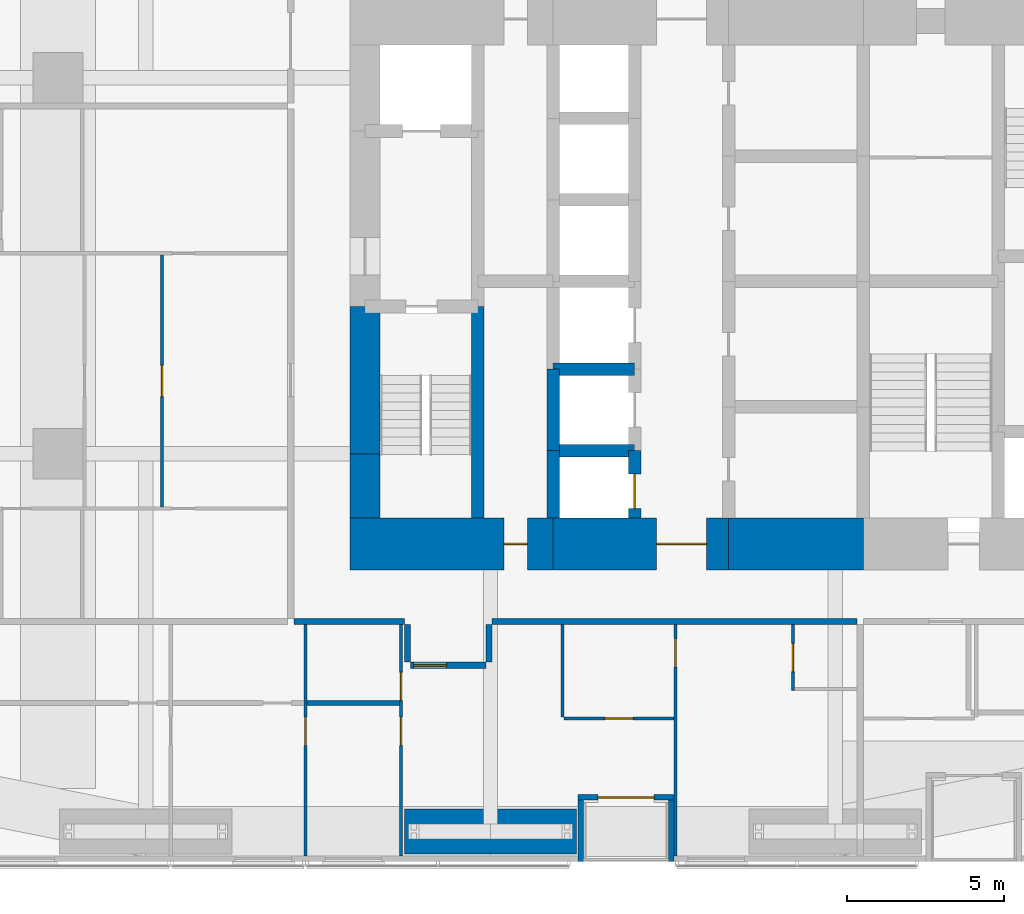
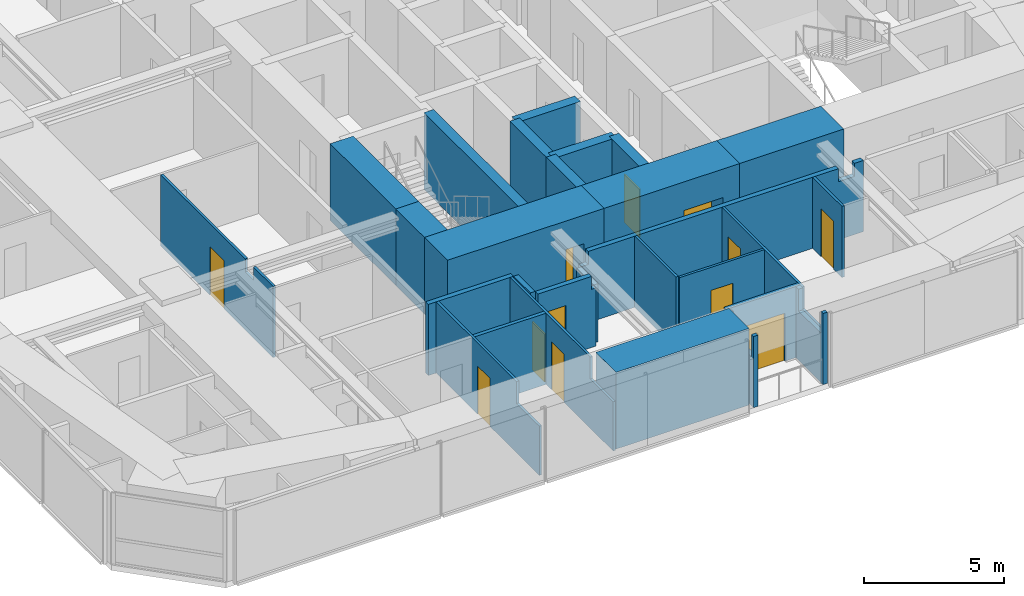
# One storey, part 18 of 24: 28 walls, 12 doors, 12 openings.
"""IFC4 building model written with IfcOpenShell, lengths in metres."""

import ifcopenshell
import ifcopenshell.guid

model = None  # the IFC model being written
_history = None  # IfcOwnerHistory: only IFC2X3 demands one
_inside = {}  # id of a spatial element -> (the spatial element, [elements in it])
_under = {}  # id of a project, library or spatial element -> (it, [spatial elements below it])
_declared = {}  # id of a project -> (the project, [libraries it declares])
_typed = {}  # id of a type object -> (the type object, [elements of that type])
_made_of = {}  # id of a material, layer set ... -> (it, [elements and type objects made of it])


def new_model(schema):
    """Start an empty IFC model of exactly this schema.

    Asked for "IFC4X3", IfcOpenShell would pick the latest addendum, in which some entities
    have other attributes; the version numbers below select the first issue.
    IFC2X3 requires an IfcOwnerHistory on every rooted entity: one is made here for all.
    """
    global model, _history
    if schema == "IFC4X3":
        model = ifcopenshell.file(schema_version=(4, 3, 0, 0))
    else:
        model = ifcopenshell.file(schema=schema)
    _inside.clear()
    _under.clear()
    _declared.clear()
    _typed.clear()
    _made_of.clear()
    _history = None
    if model.schema == "IFC2X3":
        org = make("IfcOrganization", Name="unknown")
        user = make(
            "IfcPersonAndOrganization",
            ThePerson=make("IfcPerson", FamilyName="unknown"),
            TheOrganization=org,
        )
        app = make(
            "IfcApplication",
            ApplicationDeveloper=org,
            Version="unknown",
            ApplicationFullName="unknown",
            ApplicationIdentifier="unknown",
        )
        _history = make(
            "IfcOwnerHistory",
            OwningUser=user,
            OwningApplication=app,
            ChangeAction="ADDED",
            CreationDate=0,
        )
    return model


def make(cls, **values):
    """One entity of the class cls with the attributes given. An attribute that is None is left unset."""
    return model.create_entity(
        cls, **{name: value for name, value in values.items() if value is not None}
    )


def rooted(cls, **values):
    """An entity with a GlobalId (a new one), such as an element, a storey or a relation."""
    return make(cls, GlobalId=ifcopenshell.guid.new(), OwnerHistory=_history, **values)


def si_unit(unit_type, name, prefix=None):
    """IfcSIUnit, for example si_unit("LENGTHUNIT", "METRE", prefix="MILLI")."""
    return make("IfcSIUnit", UnitType=unit_type, Prefix=prefix, Name=name)


def assignment(units):
    """IfcUnitAssignment: the units of a project."""
    return None if units is None else make("IfcUnitAssignment", Units=units)


def point(xyz):
    """IfcCartesianPoint."""
    return None if xyz is None else make("IfcCartesianPoint", Coordinates=xyz)


def direction(xyz):
    """IfcDirection."""
    return None if xyz is None else make("IfcDirection", DirectionRatios=xyz)


def frame(location, z_axis=None, x_axis=None):
    """IfcAxis2Placement3D, a coordinate frame: its origin and axes. An axis left out is left unset."""
    return make(
        "IfcAxis2Placement3D",
        Location=point(location),
        Axis=direction(z_axis),
        RefDirection=direction(x_axis),
    )


def frame_2d(location, x_axis=None):
    """IfcAxis2Placement2D, a coordinate frame in the plane: its origin and x axis."""
    return make(
        "IfcAxis2Placement2D", Location=point(location), RefDirection=direction(x_axis)
    )


def origin():
    """The frame at (0, 0, 0) with its axes left unset."""
    return frame((0.0, 0.0, 0.0))


def place(relative_to, where):
    """IfcLocalPlacement: puts the frame where relative to a parent placement (None: the world)."""
    return make(
        "IfcLocalPlacement", PlacementRelTo=relative_to, RelativePlacement=where
    )


def context(
    kind, dimensions, precision=None, world=None, true_north=None, identifier=None
):
    """IfcGeometricRepresentationContext, for example the 3D "Model" context."""
    return make(
        "IfcGeometricRepresentationContext",
        ContextIdentifier=identifier,
        ContextType=kind,
        CoordinateSpaceDimension=dimensions,
        Precision=precision,
        WorldCoordinateSystem=world,
        TrueNorth=true_north,
    )


def subcontext(parent, identifier, kind, view, scale=None):
    """IfcGeometricRepresentationSubContext, for example "Body" below "Model"."""
    return make(
        "IfcGeometricRepresentationSubContext",
        ContextIdentifier=identifier,
        ContextType=kind,
        ParentContext=parent,
        TargetScale=scale,
        TargetView=view,
    )


def project(units=None, contexts=None):
    """IfcProject with its units and contexts."""
    return rooted(
        "IfcProject",
        Name="project",
        RepresentationContexts=contexts,
        UnitsInContext=assignment(units),
    )


def spatial(cls, under=None, at=None, **own):
    """A site, building, storey or space (cls), placed at a placement, below another one or the project."""
    s = rooted(cls, ObjectPlacement=at, **own)
    if under is not None:
        _under.setdefault(under.id(), (under, []))[1].append(s)
    return s


def polyline(points):
    """IfcPolyline through the points."""
    return make("IfcPolyline", Points=[point(p) for p in points])


def profile(cls, at=None, kind="AREA", **sizes):
    """A parametric profile (cls). Its sizes go by their IFC names, for example OverallWidth=200.0."""
    return make(cls, ProfileType=kind, Position=at, **sizes)


def rectangle(**sizes):
    """IfcRectangleProfileDef."""
    return profile("IfcRectangleProfileDef", **sizes)


def outline(outer, holes=None, kind="AREA"):
    """IfcArbitraryClosedProfileDef: a profile drawn as a closed curve; with holes, ...WithVoids."""
    if holes is None:
        return make("IfcArbitraryClosedProfileDef", ProfileType=kind, OuterCurve=outer)
    return make(
        "IfcArbitraryProfileDefWithVoids",
        ProfileType=kind,
        OuterCurve=outer,
        InnerCurves=holes,
    )


def extrude(swept, where, along, depth):
    """IfcExtrudedAreaSolid: the profile swept, set in the frame where, extruded along a direction by depth."""
    return make(
        "IfcExtrudedAreaSolid",
        SweptArea=swept,
        Position=where,
        ExtrudedDirection=direction(along),
        Depth=depth,
    )


def shape(context_of_items, identifier, shape_type, items):
    """IfcShapeRepresentation: the items that make up one representation, for example the "Body"."""
    return make(
        "IfcShapeRepresentation",
        ContextOfItems=context_of_items,
        RepresentationIdentifier=identifier,
        RepresentationType=shape_type,
        Items=items,
    )


def material(Name=None, Category=None):
    """IfcMaterial."""
    return make("IfcMaterial", Name=Name, Category=Category)


def layer(
    of_material, thickness, ventilated=None, Name=None, Category=None, Priority=None
):
    """IfcMaterialLayer: one layer of a wall or slab, of a material (None: an air gap)."""
    return make(
        "IfcMaterialLayer",
        Material=of_material,
        LayerThickness=thickness,
        IsVentilated=ventilated,
        Name=Name,
        Category=Category,
        Priority=Priority,
    )


def layer_set(layers, Name=None):
    """IfcMaterialLayerSet."""
    return make("IfcMaterialLayerSet", MaterialLayers=layers, LayerSetName=Name)


def constituent(of_material, Name=None, Category=None, fraction=None):
    """IfcMaterialConstituent: one of the materials an element consists of."""
    return make(
        "IfcMaterialConstituent",
        Name=Name,
        Material=of_material,
        Fraction=fraction,
        Category=Category,
    )


def constituent_set(constituents=None, Name=None):
    """IfcMaterialConstituentSet."""
    return make(
        "IfcMaterialConstituentSet", Name=Name, MaterialConstituents=constituents
    )


def made_of(thing, what):
    """Note that an element or type object is made of a material, layer set ...; save() writes the relation."""
    if what is not None:
        _made_of.setdefault(what.id(), (what, []))[1].append(thing)
    return thing


def type_object(cls, material=None, **own):
    """A type object (cls), such as IfcWallType, which elements share."""
    return made_of(rooted(cls, **own), material)


def element(
    cls,
    number,
    at=None,
    inside=None,
    cuts=None,
    type_object=None,
    material=None,
    context=None,
    identifier="Body",
    shape_type=None,
    held_by="IfcProductDefinitionShape",
    body=None,
    shapes=None,
    **own,
):
    """One element of the class cls, such as IfcWall. Its Tag is "e" and its number.

    at: its placement. inside: the storey or other place that contains it. cuts: it is an
    opening in that element (IfcRelVoidsElement). A single representation is given by context,
    identifier, shape_type and body (its items); several are given by shapes. held_by: the class
    of the entity that holds the representations. save() writes the other relations.
    """
    e = rooted(cls, Tag="e%d" % number, ObjectPlacement=at, **own)
    if body is not None:
        shapes = [shape(context, identifier, shape_type, body)]
    if shapes is not None:
        e.Representation = make(held_by, Representations=shapes)
    if inside is not None:
        _inside.setdefault(inside.id(), (inside, []))[1].append(e)
    if cuts is not None:
        rooted(
            "IfcRelVoidsElement", RelatingBuildingElement=cuts, RelatedOpeningElement=e
        )
    if type_object is not None:
        _typed.setdefault(type_object.id(), (type_object, []))[1].append(e)
    return made_of(e, material)


def fill(opening, filler):
    """IfcRelFillsElement: the door or window that sits in an opening."""
    return rooted(
        "IfcRelFillsElement",
        RelatingOpeningElement=opening,
        RelatedBuildingElement=filler,
    )


def aggregate(whole, parts):
    """IfcRelAggregates: a whole, such as a stair, and the parts it consists of."""
    return rooted("IfcRelAggregates", RelatingObject=whole, RelatedObjects=parts)


def save(model, path):
    """Write the relations noted so far, then the file.

    IfcRelAggregates (storeys below a building ...), IfcRelContainedInSpatialStructure (elements
    in a storey), IfcRelDefinesByType, IfcRelAssociatesMaterial and IfcRelDeclares: one each for
    every whole, place, type object, material and project.
    """
    for whole, parts in _under.values():
        aggregate(whole, parts)
    for where, things in _inside.values():
        rooted(
            "IfcRelContainedInSpatialStructure",
            RelatedElements=things,
            RelatingStructure=where,
        )
    for kind, things in _typed.values():
        rooted("IfcRelDefinesByType", RelatedObjects=things, RelatingType=kind)
    for what, things in _made_of.values():
        rooted("IfcRelAssociatesMaterial", RelatedObjects=things, RelatingMaterial=what)
    for by, libraries in _declared.values():
        rooted("IfcRelDeclares", RelatingContext=by, RelatedDefinitions=libraries)
    model.write(path)


model = new_model("IFC4")

# Units and contexts
model_context = context("Model", 3, precision=1e-05, world=origin(), true_north=direction((0.0, 1.0)))
body_context = subcontext(model_context, "Body", "Model", "MODEL_VIEW")
ifc_project = project(units=[si_unit("LENGTHUNIT", "METRE"), si_unit("AREAUNIT", "SQUARE_METRE"), si_unit("VOLUMEUNIT", "CUBIC_METRE"), si_unit("PLANEANGLEUNIT", "RADIAN"), si_unit("MASSUNIT", "GRAM", prefix="KILO")], contexts=[model_context])

# Site, building, storey
site_placement = place(None, origin())
site = spatial("IfcSite", under=ifc_project, at=site_placement, CompositionType="ELEMENT")
building_placement = place(site_placement, origin())
building = spatial("IfcBuilding", under=site, at=building_placement, Name="Jalousie Tower", CompositionType="ELEMENT")
storey_placement = place(building_placement, frame((0.0, 0.0, 57.85009765625)))
storey = spatial("IfcBuildingStorey", under=building, at=storey_placement, Name="L15", CompositionType="ELEMENT", Elevation=57.85009765625)

# Wall
ifc_material_1 = material(Name="Concrete block ASTM C90", Category="concrete")
ifc_constituent_1 = constituent(ifc_material_1, Name="Body")
ifc_material_2 = material(Name="Render")
ifc_constituent_2 = constituent(ifc_material_2, Name="Finish")
ifc_constituent_set_1 = constituent_set(constituents=[ifc_constituent_1, ifc_constituent_2])
wall_type_1 = type_object("IfcWallType", Name="BATHROOM WALL 150", PredefinedType="PLUMBINGWALL", material=ifc_constituent_set_1)
wall_1_placement = place(storey_placement, frame((18.14990234375, 5.050048828125, 0.0), z_axis=(0.0, 0.0, 1.0), x_axis=(1.0, 0.0, 0.0)))
element("IfcWall", 1, at=wall_1_placement, inside=storey, type_object=wall_type_1, Name="Bathroom Wall 150 L15", PredefinedType="PLUMBINGWALL", context=body_context, shape_type="SweptSolid", body=[
    extrude(rectangle(XDim=2.9501953125, YDim=0.14990234375, at=frame_2d((1.47509765625, 0.0))), origin(), (0.0, 0.0, 1.0), 3.10986328125),
])

# Wall, opening, door
ifc_material_3 = material(Name="Concrete f'c 120 MPa", Category="concrete")
ifc_layer_1 = layer(ifc_material_3, 1.64990234375)
ifc_layer_set_1 = layer_set([ifc_layer_1], Name="Concrete f'c 120 MPa")
wall_type_2 = type_object("IfcWallType", Name="CORE WALL 1650", PredefinedType="SHEAR", material=ifc_layer_set_1)
wall_2_placement = place(storey_placement, frame((19.52490234375, 10.125, 0.0), z_axis=(0.0, 0.0, 1.0), x_axis=(1.0, 0.0, 0.0)))
wall_2 = element("IfcWall", 2, at=wall_2_placement, inside=storey, type_object=wall_type_2, Name="Core wall SA L15", PredefinedType="SHEAR", context=body_context, shape_type="SweptSolid", body=[
    extrude(rectangle(XDim=6.47509765625, YDim=1.64990234375, at=frame_2d((3.237548828125, 0.0))), origin(), (0.0, 0.0, 1.0), 3.349853515625),
])
opening_1_placement = place(wall_2_placement, frame((4.89990234375, 0.0, 0.0)))
opening_1 = element("IfcOpeningElement", 3, at=opening_1_placement, cuts=wall_2, Name="Opening D16", PredefinedType="OPENING", context=body_context, shape_type="SweptSolid", body=[
    extrude(rectangle(XDim=0.75, YDim=2.10009765625, at=frame_2d((0.375, 1.050048828125))), frame((0.0, 0.8349609375, 0.0), z_axis=(0.0, -1.0, 0.0), x_axis=(1.0, 0.0, 0.0)), (0.0, 0.0, 1.0), 1.669921875),
])
ifc_material_4 = material(Name="Steel fire door", Category="steel")
door_type_1 = type_object("IfcDoorType", Name="RISER DOOR 750", OperationType="SINGLE_SWING_LEFT", PredefinedType="DOOR", material=ifc_material_4)
door_1_placement = place(opening_1_placement, origin())
door_1 = element("IfcDoor", 4, at=door_1_placement, inside=storey, type_object=door_type_1, Name="South riser door", OperationType="SINGLE_SWING_LEFT", OverallHeight=2.10009765625, OverallWidth=0.75, PredefinedType="DOOR", context=body_context, shape_type="SweptSolid", body=[
    extrude(rectangle(XDim=0.75, YDim=2.10009765625, at=frame_2d((0.375, 1.050048828125))), frame((0.0, 0.02490234375, 0.0), z_axis=(0.0, -1.0, 0.0), x_axis=(1.0, 0.0, 0.0)), (0.0, 0.0, 1.0), 0.050048828125),
])
fill(opening_1, door_1)

wall_3_placement = place(storey_placement, frame((26.0, 10.125, 0.0), z_axis=(0.0, 0.0, 1.0), x_axis=(1.0, 0.0, 0.0)))
wall_3 = element("IfcWall", 5, at=wall_3_placement, inside=storey, type_object=wall_type_2, Name="Core wall SB L15", PredefinedType="SHEAR", context=body_context, shape_type="SweptSolid", body=[
    extrude(rectangle(XDim=5.60009765625, YDim=1.64990234375, at=frame_2d((2.800048828125, 0.0))), origin(), (0.0, 0.0, 1.0), 3.349853515625),
])
opening_2_placement = place(wall_3_placement, frame((3.300048828125, 0.0, 0.0)))
opening_2 = element("IfcOpeningElement", 6, at=opening_2_placement, cuts=wall_3, Name="Opening D15", PredefinedType="OPENING", context=body_context, shape_type="SweptSolid", body=[
    extrude(rectangle(XDim=1.60009765625, YDim=2.10009765625, at=frame_2d((0.800048828125, 1.050048828125))), frame((0.0, 0.8349609375, 0.0), z_axis=(0.0, -1.0, 0.0), x_axis=(1.0, 0.0, 0.0)), (0.0, 0.0, 1.0), 1.669921875),
])
ifc_material_5 = material(Name="Steel fire door", Category="steel")
door_type_2 = type_object("IfcDoorType", Name="LIFT LOBBY DOOR 1600", OperationType="DOUBLE_DOOR_SINGLE_SWING", PredefinedType="DOOR", material=ifc_material_5)
door_2_placement = place(opening_2_placement, origin())
door_2 = element("IfcDoor", 7, at=door_2_placement, inside=storey, type_object=door_type_2, Name="Lift lobby south door", OperationType="DOUBLE_DOOR_SINGLE_SWING", OverallHeight=2.10009765625, OverallWidth=1.60009765625, PredefinedType="DOOR", context=body_context, shape_type="SweptSolid", body=[
    extrude(rectangle(XDim=1.60009765625, YDim=2.10009765625, at=frame_2d((0.800048828125, 1.050048828125))), frame((0.0, 0.02490234375, 0.0), z_axis=(0.0, -1.0, 0.0), x_axis=(1.0, 0.0, 0.0)), (0.0, 0.0, 1.0), 0.050048828125),
])
fill(opening_2, door_2)

# Walls
wall_4_placement = place(storey_placement, frame((31.60009765625, 10.125, 0.0), z_axis=(0.0, 0.0, 1.0), x_axis=(1.0, 0.0, 0.0)))
element("IfcWall", 8, at=wall_4_placement, inside=storey, type_object=wall_type_2, Name="Core wall SC L15", PredefinedType="SHEAR", context=body_context, shape_type="SweptSolid", body=[
    extrude(rectangle(XDim=4.2998046875, YDim=1.64990234375, at=frame_2d((2.14990234375, 0.0))), origin(), (0.0, 0.0, 1.0), 3.349853515625),
])
ifc_material_6 = material(Name="Concrete f'c 120 MPa", Category="concrete")
ifc_layer_2 = layer(ifc_material_6, 0.39990234375)
ifc_layer_set_2 = layer_set([ifc_layer_2], Name="Concrete f'c 120 MPa")
wall_type_3 = type_object("IfcWallType", Name="CORE WALL 400", PredefinedType="SHEAR", material=ifc_layer_set_2)
wall_5_placement = place(storey_placement, frame((23.60009765625, 10.949951171875, 0.0), z_axis=(0.0, 0.0, 1.0), x_axis=(0.0, 1.0, 0.0)))
element("IfcWall", 9, at=wall_5_placement, inside=storey, type_object=wall_type_3, Name="Core wall X23.6A L15", PredefinedType="SHEAR", context=body_context, shape_type="SweptSolid", body=[
    extrude(rectangle(XDim=6.75, YDim=0.39990234375, at=frame_2d((3.375, 0.0))), origin(), (0.0, 0.0, 1.0), 3.349853515625),
])
wall_6_placement = place(storey_placement, frame((26.0, 10.949951171875, 0.0), z_axis=(0.0, 0.0, 1.0), x_axis=(0.0, 1.0, 0.0)))
element("IfcWall", 10, at=wall_6_placement, inside=storey, type_object=wall_type_3, Name="Core wall X26A L15", PredefinedType="SHEAR", context=body_context, shape_type="SweptSolid", body=[
    extrude(rectangle(XDim=2.150146484375, YDim=0.39990234375, at=frame_2d((1.0751953125, 0.0))), origin(), (0.0, 0.0, 1.0), 3.349853515625),
])
wall_7_placement = place(storey_placement, frame((26.0, 13.10009765625, 0.0), z_axis=(0.0, 0.0, 1.0), x_axis=(0.0, 1.0, 0.0)))
element("IfcWall", 11, at=wall_7_placement, inside=storey, type_object=wall_type_3, Name="Core wall X26B L15", PredefinedType="SHEAR", context=body_context, shape_type="SweptSolid", body=[
    extrude(rectangle(XDim=2.599853515625, YDim=0.39990234375, at=frame_2d((1.2998046875, 0.0))), origin(), (0.0, 0.0, 1.0), 3.349853515625),
])

# Wall, opening, door
wall_8_placement = place(storey_placement, frame((28.60009765625, 10.949951171875, 0.0), z_axis=(0.0, 0.0, 1.0), x_axis=(0.0, 1.0, 0.0)))
wall_8 = element("IfcWall", 12, at=wall_8_placement, inside=storey, type_object=wall_type_3, Name="Core wall X28.6A L15", PredefinedType="SHEAR", context=body_context, shape_type="SweptSolid", body=[
    extrude(rectangle(XDim=2.150146484375, YDim=0.39990234375, at=frame_2d((1.0751953125, 0.0))), origin(), (0.0, 0.0, 1.0), 3.349853515625),
])
opening_3_placement = place(wall_8_placement, frame((0.300048828125, 0.0, 0.0)))
opening_3 = element("IfcOpeningElement", 13, at=opening_3_placement, cuts=wall_8, Name="Opening LD1", PredefinedType="OPENING", context=body_context, shape_type="SweptSolid", body=[
    extrude(rectangle(XDim=1.10009765625, YDim=2.10009765625, at=frame_2d((0.550048828125, 1.050048828125))), frame((0.0, 0.2099609375, 0.0), z_axis=(0.0, -1.0, 0.0), x_axis=(1.0, 0.0, 0.0)), (0.0, 0.0, 1.0), 0.419921875),
])
ifc_material_7 = material(Name="Steel lift landing door", Category="steel")
door_type_3 = type_object("IfcDoorType", Name="LIFT LANDING DOOR 1100", OperationType="SLIDING_TO_LEFT", PredefinedType="DOOR", material=ifc_material_7)
door_3_placement = place(opening_3_placement, origin())
door_3 = element("IfcDoor", 14, at=door_3_placement, inside=storey, type_object=door_type_3, Name="Lift P1 landing door", OperationType="SLIDING_TO_LEFT", OverallHeight=2.10009765625, OverallWidth=1.10009765625, PredefinedType="DOOR", context=body_context, shape_type="SweptSolid", body=[
    extrude(rectangle(XDim=1.10009765625, YDim=2.10009765625, at=frame_2d((0.550048828125, 1.050048828125))), frame((0.0, 0.02490234375, 0.0), z_axis=(0.0, -1.0, 0.0), x_axis=(1.0, 0.0, 0.0)), (0.0, 0.0, 1.0), 0.050048828125),
])
fill(opening_3, door_3)

# Walls
for number, where, z_axis, x_axis, name in (
    (15, (26.0, 13.10009765625, 0.0), (0.0, 0.0, 1.0), (1.0, 0.0, 0.0), "Core wall Y26-13.1 L15"),
    (16, (26.0, 15.699951171875, 0.0), (0.0, 0.0, 1.0), (1.0, 0.0, 0.0), "Core wall Y26-15.7 L15"),
):
    element("IfcWall", number, at=place(storey_placement, frame(where, z_axis=z_axis, x_axis=x_axis)), inside=storey, type_object=wall_type_3, Name=name, PredefinedType="SHEAR", context=body_context, shape_type="SweptSolid", body=[
        extrude(rectangle(XDim=2.60009765625, YDim=0.39990234375, at=frame_2d((1.300048828125, 0.0))), origin(), (0.0, 0.0, 1.0), 3.349853515625),
    ])
ifc_material_8 = material(Name="Concrete f'c 120 MPa", Category="concrete")
ifc_layer_3 = layer(ifc_material_8, 0.949951171875)
ifc_layer_set_3 = layer_set([ifc_layer_3], Name="Concrete f'c 120 MPa")
wall_type_4 = type_object("IfcWallType", Name="CORE WALL 950", PredefinedType="SHEAR", material=ifc_layer_set_3)
wall_9_placement = place(storey_placement, frame((20.0, 17.699951171875, 0.0), z_axis=(0.0, 0.0, 1.0), x_axis=(0.0, -1.0, 0.0)))
element("IfcWall", 17, at=wall_9_placement, inside=storey, type_object=wall_type_4, Name="Core wall WC L15", PredefinedType="SHEAR", context=body_context, shape_type="SweptSolid", body=[
    extrude(rectangle(XDim=4.699951171875, YDim=0.949951171875, at=frame_2d((2.35009765625, 0.0))), origin(), (0.0, 0.0, 1.0), 3.349853515625),
])
wall_10_placement = place(storey_placement, frame((20.0, 13.0, 0.0), z_axis=(0.0, 0.0, 1.0), x_axis=(0.0, -1.0, 0.0)))
element("IfcWall", 18, at=wall_10_placement, inside=storey, type_object=wall_type_4, Name="Core wall WD L15", PredefinedType="SHEAR", context=body_context, shape_type="SweptSolid", body=[
    extrude(rectangle(XDim=2.050048828125, YDim=0.949951171875, at=frame_2d((1.02490234375, 0.0))), origin(), (0.0, 0.0, 1.0), 3.349853515625),
])
ifc_material_9 = material(Name="Concrete block ASTM C90", Category="concrete")
ifc_constituent_3 = constituent(ifc_material_9, Name="Body")
ifc_material_10 = material(Name="Render")
ifc_constituent_4 = constituent(ifc_material_10, Name="Finish")
ifc_constituent_set_2 = constituent_set(constituents=[ifc_constituent_3, ifc_constituent_4])
wall_type_5 = type_object("IfcWallType", Name="CORRIDOR WALL 200", PredefinedType="PARTITIONING", material=ifc_constituent_set_2)
wall_11_placement = place(storey_placement, frame((17.72509765625, 7.64990234375, 0.0), z_axis=(0.0, 0.0, 1.0), x_axis=(1.0, 0.0, 0.0)))
element("IfcWall", 19, at=wall_11_placement, inside=storey, type_object=wall_type_5, Name="Corridor Wall 200 L15", PredefinedType="PARTITIONING", context=body_context, shape_type="SweptSolid", body=[
    extrude(rectangle(XDim=3.52490234375, YDim=0.199951171875, at=frame_2d((1.762451171875, 0.0))), origin(), (0.0, 0.0, 1.0), 3.10986328125),
])
wall_12_placement = place(storey_placement, frame((24.050048828125, 7.64990234375, 0.0), z_axis=(0.0, 0.0, 1.0), x_axis=(1.0, 0.0, 0.0)))
element("IfcWall", 20, at=wall_12_placement, inside=storey, type_object=wall_type_5, Name="Corridor Wall 200 L15", PredefinedType="PARTITIONING", context=body_context, shape_type="SweptSolid", body=[
    extrude(outline(polyline([(0.0, 0.0), (11.64990234375, 0.0), (11.64990234375, 3.10986328125), (11.287353515625, 3.10986328125), (11.287353515625, 2.541015625), (10.612548828125, 2.541015625), (10.612548828125, 3.10986328125), (0.287353515625, 3.10986328125), (0.287353515625, 2.541015625), (0.0, 2.541015625), (0.0, 3.10986328125), (0.0, 0.0)])), frame((0.0, 0.10009765625, 0.0), z_axis=(0.0, -1.0, 0.0), x_axis=(1.0, 0.0, 0.0)), (0.0, 0.0, 1.0), 0.199951171875),
])

# Wall, opening, door
wall_13_placement = place(storey_placement, frame((21.449951171875, 6.25, 0.0), z_axis=(0.0, 0.0, 1.0), x_axis=(1.0, 0.0, 0.0)))
wall_13 = element("IfcWall", 21, at=wall_13_placement, inside=storey, type_object=wall_type_5, Name="Corridor Wall 200 L15", PredefinedType="PARTITIONING", context=body_context, shape_type="SweptSolid", body=[
    extrude(outline(polyline([(0.0, 0.0), (2.400146484375, 0.0), (2.39990234375, 3.10986328125), (2.39990234375, 2.541015625), (2.212646484375, 2.541015625), (2.212646484375, 3.10986328125), (0.0, 3.10986328125), (0.0, 0.0)])), frame((0.0, 0.10009765625, 0.0), z_axis=(0.0, -1.0, 0.0), x_axis=(1.0, 0.0, 0.0)), (0.0, 0.0, 1.0), 0.199951171875),
])
opening_4_placement = place(wall_13_placement, frame((0.10009765625, 0.0, 0.0)))
opening_4 = element("IfcOpeningElement", 22, at=opening_4_placement, cuts=wall_13, Name="Opening D1", PredefinedType="OPENING", context=body_context, shape_type="SweptSolid", body=[
    extrude(rectangle(XDim=1.050048828125, YDim=2.199951171875, at=frame_2d((0.52490234375, 1.10009765625))), frame((0.0, 0.10986328125, 0.0), z_axis=(0.0, -1.0, 0.0), x_axis=(1.0, 0.0, 0.0)), (0.0, 0.0, 1.0), 0.219970703125),
])
ifc_material_11 = material(Name="Timber fire door", Category="wood")
door_type_4 = type_object("IfcDoorType", Name="APARTMENT ENTRANCE DOOR 1050", OperationType="SINGLE_SWING_LEFT", PredefinedType="DOOR", material=ifc_material_11)
door_4_placement = place(opening_4_placement, frame((1.050048828125, 0.0, 0.0), z_axis=(0.0, 0.0, 1.0), x_axis=(-1.0, 0.0, 0.0)))
door_4 = element("IfcDoor", 23, at=door_4_placement, inside=storey, type_object=door_type_4, Name="Apartment 1501 entrance", OperationType="SINGLE_SWING_RIGHT", OverallHeight=2.199951171875, OverallWidth=1.050048828125, PredefinedType="DOOR", context=body_context, shape_type="SweptSolid", body=[
    extrude(rectangle(XDim=1.050048828125, YDim=2.199951171875, at=frame_2d((0.52490234375, 1.10009765625))), frame((0.0, 0.02490234375, 0.0), z_axis=(0.0, -1.0, 0.0), x_axis=(1.0, 0.0, 0.0)), (0.0, 0.0, 1.0), 0.050048828125),
])
fill(opening_4, door_4)

# Walls
wall_14_placement = place(storey_placement, frame((21.35009765625, 7.550048828125, 0.0), z_axis=(0.0, 0.0, 1.0), x_axis=(0.0, -1.0, 0.0)))
element("IfcWall", 24, at=wall_14_placement, inside=storey, type_object=wall_type_5, Name="Corridor Wall 200 L15", PredefinedType="PARTITIONING", context=body_context, shape_type="SweptSolid", body=[
    extrude(rectangle(XDim=1.199951171875, YDim=0.199951171875, at=frame_2d((0.60009765625, 0.0))), origin(), (0.0, 0.0, 1.0), 3.10986328125),
])
wall_15_placement = place(storey_placement, frame((23.949951171875, 7.550048828125, 0.0), z_axis=(0.0, 0.0, 1.0), x_axis=(0.0, -1.0, 0.0)))
element("IfcWall", 25, at=wall_15_placement, inside=storey, type_object=wall_type_5, Name="Corridor Wall 200 L15", PredefinedType="PARTITIONING", context=body_context, shape_type="SweptSolid", body=[
    extrude(outline(polyline([(0.0, 0.0), (1.199951171875, 0.0), (1.199951171875, 3.10986328125), (1.199951171875, 2.541015625), (0.0, 2.541015625), (0.0, 3.10986328125), (0.0, 0.0)])), frame((0.0, 0.10009765625, 0.0), z_axis=(0.0, -1.0, 0.0), x_axis=(1.0, 0.0, 0.0)), (0.0, 0.0, 1.0), 0.199951171875),
])

# Wall, opening, door
ifc_material_12 = material(Name="Concrete f'c 40 MPa", Category="concrete")
ifc_constituent_5 = constituent(ifc_material_12, Name="Body")
ifc_material_13 = material(Name="Render, pastel coral")
ifc_constituent_6 = constituent(ifc_material_13, Name="Finish")
ifc_constituent_set_3 = constituent_set(constituents=[ifc_constituent_5, ifc_constituent_6])
wall_type_6 = type_object("IfcWallType", Name="EXTERNAL WALL 175 CORAL RENDER", PredefinedType="SOLIDWALL", material=ifc_constituent_set_3)
wall_16_placement = place(storey_placement, frame((26.800048828125, 2.03759765625, 0.0), z_axis=(0.0, 0.0, 1.0), x_axis=(1.0, 0.0, 0.0)))
wall_16 = element("IfcWall", 26, at=wall_16_placement, inside=storey, type_object=wall_type_6, Name="External Wall 175 Coral Render L15", PredefinedType="SOLIDWALL", context=body_context, shape_type="SweptSolid", body=[
    extrude(rectangle(XDim=3.050048828125, YDim=0.175048828125, at=frame_2d((1.52490234375, 0.0))), origin(), (0.0, 0.0, 1.0), 3.10986328125),
])
opening_5_placement = place(wall_16_placement, frame((0.625, 0.0, 0.0)))
opening_5 = element("IfcOpeningElement", 27, at=opening_5_placement, cuts=wall_16, Name="Opening D-BAL21", PredefinedType="OPENING", context=body_context, shape_type="SweptSolid", body=[
    extrude(rectangle(XDim=1.800048828125, YDim=2.10009765625, at=frame_2d((0.89990234375, 1.050048828125))), frame((0.0, 0.097412109375, 0.0), z_axis=(0.0, -1.0, 0.0), x_axis=(1.0, 0.0, 0.0)), (0.0, 0.0, 1.0), 0.195068359375),
])
ifc_material_14 = material(Name="Aluminium frame, impact-rated glazing", Category="aluminium")
door_type_5 = type_object("IfcDoorType", Name="BALCONY DOOR 1800x2100", OperationType="SLIDING_TO_LEFT", PredefinedType="DOOR", material=ifc_material_14)
door_5_placement = place(opening_5_placement, origin())
door_5 = element("IfcDoor", 28, at=door_5_placement, inside=storey, type_object=door_type_5, Name="Apartment 1501 living and dining room loggia door", OperationType="SLIDING_TO_LEFT", OverallHeight=2.10009765625, OverallWidth=1.800048828125, PredefinedType="DOOR", context=body_context, shape_type="SweptSolid", body=[
    extrude(rectangle(XDim=1.800048828125, YDim=2.10009765625, at=frame_2d((0.89990234375, 1.050048828125))), frame((0.0, 0.02490234375, 0.0), z_axis=(0.0, -1.0, 0.0), x_axis=(1.0, 0.0, 0.0)), (0.0, 0.0, 1.0), 0.050048828125),
])
fill(opening_5, door_5)

# Walls
for number, where, z_axis, x_axis, name in (
    (29, (26.887451171875, 0.0, 0.0), (0.0, 0.0, 1.0), (0.0, 1.0, 0.0), "External Wall 175 Coral Render L15"),
    (30, (29.762451171875, 0.0, 0.0), (0.0, 0.0, 1.0), (0.0, 1.0, 0.0), "External Wall 175 Coral Render L15"),
):
    element("IfcWall", number, at=place(storey_placement, frame(where, z_axis=z_axis, x_axis=x_axis)), inside=storey, type_object=wall_type_6, Name=name, PredefinedType="SOLIDWALL", context=body_context, shape_type="SweptSolid", body=[
        extrude(outline(polyline([(0.0, 0.0), (1.949951171875, 0.0), (1.949951171875, 3.10986328125), (1.75, 3.10986328125), (1.75, 2.14990234375), (0.14990234375, 2.14990234375), (0.14990234375, 3.10986328125), (0.0, 3.10986328125), (0.0, 0.0)])), frame((0.0, 0.08740234375, 0.0), z_axis=(0.0, -1.0, 0.0), x_axis=(1.0, 0.0, 0.0)), (0.0, 0.0, 1.0), 0.175048828125),
    ])

# Wall, opening, door
ifc_material_15 = material(Name="Gypsum board", Category="gypsum")
ifc_constituent_7 = constituent(ifc_material_15, Name="Body")
ifc_material_16 = material(Name="Light-gauge steel studs ASTM A653 SS Grade 33", Category="steel")
ifc_constituent_8 = constituent(ifc_material_16, Name="Framing")
ifc_constituent_set_4 = constituent_set(constituents=[ifc_constituent_7, ifc_constituent_8])
wall_type_7 = type_object("IfcWallType", Name="PARTITION 100", PredefinedType="PARTITIONING", material=ifc_constituent_set_4)
wall_17_placement = place(storey_placement, frame((18.10009765625, 0.175048828125, 0.0), z_axis=(0.0, 0.0, 1.0), x_axis=(0.0, 1.0, 0.0)))
wall_17 = element("IfcWall", 31, at=wall_17_placement, inside=storey, type_object=wall_type_7, Name="Partition 100 L15", PredefinedType="PARTITIONING", context=body_context, shape_type="SweptSolid", body=[
    extrude(outline(polyline([(0.0, 0.0), (7.375, 0.0), (7.375, 3.10986328125), (1.635009765625, 3.10986328125), (1.635009765625, 2.14990234375), (0.0, 2.14990234375), (0.0, 3.10986328125), (0.0, 0.0)])), frame((0.0, 0.050048828125, 0.0), z_axis=(0.0, -1.0, 0.0), x_axis=(1.0, 0.0, 0.0)), (0.0, 0.0, 1.0), 0.10009765625),
])
opening_6_placement = place(wall_17_placement, frame((3.52490234375, 0.0, 0.0)))
opening_6 = element("IfcOpeningElement", 32, at=opening_6_placement, cuts=wall_17, Name="Opening D2", PredefinedType="OPENING", context=body_context, shape_type="SweptSolid", body=[
    extrude(rectangle(XDim=0.89990234375, YDim=2.10009765625, at=frame_2d((0.449951171875, 1.050048828125))), frame((0.0, 0.06005859375, 0.0), z_axis=(0.0, -1.0, 0.0), x_axis=(1.0, 0.0, 0.0)), (0.0, 0.0, 1.0), 0.1201171875),
])
ifc_material_17 = material(Name="Timber door", Category="wood")
door_type_6 = type_object("IfcDoorType", Name="BEDROOM DOOR 900", OperationType="SINGLE_SWING_LEFT", PredefinedType="DOOR", material=ifc_material_17)
door_6_placement = place(opening_6_placement, origin())
door_6 = element("IfcDoor", 33, at=door_6_placement, inside=storey, type_object=door_type_6, Name="Apartment 1501 bedroom 3 door", OperationType="SINGLE_SWING_RIGHT", OverallHeight=2.10009765625, OverallWidth=0.89990234375, PredefinedType="DOOR", context=body_context, shape_type="SweptSolid", body=[
    extrude(rectangle(XDim=0.89990234375, YDim=2.10009765625, at=frame_2d((0.449951171875, 1.050048828125))), frame((0.0, 0.02490234375, 0.0), z_axis=(0.0, -1.0, 0.0), x_axis=(1.0, 0.0, 0.0)), (0.0, 0.0, 1.0), 0.050048828125),
])
fill(opening_6, door_6)

# Wall, openings, doors
wall_18_placement = place(storey_placement, frame((21.14990234375, 0.175048828125, 0.0), z_axis=(0.0, 0.0, 1.0), x_axis=(0.0, 1.0, 0.0)))
wall_18 = element("IfcWall", 34, at=wall_18_placement, inside=storey, type_object=wall_type_7, Name="Partition 100 L15", PredefinedType="PARTITIONING", context=body_context, shape_type="SweptSolid", body=[
    extrude(outline(polyline([(0.0, 0.0), (7.375, 0.0), (7.375, 3.10986328125), (1.635009765625, 3.10986328125), (1.635009765625, 2.14990234375), (0.0, 2.14990234375), (0.0, 3.10986328125), (0.0, 0.0)])), frame((0.0, 0.050048828125, 0.0), z_axis=(0.0, -1.0, 0.0), x_axis=(1.0, 0.0, 0.0)), (0.0, 0.0, 1.0), 0.10009765625),
])
opening_7_placement = place(wall_18_placement, frame((3.52490234375, 0.0, 0.0)))
opening_7 = element("IfcOpeningElement", 35, at=opening_7_placement, cuts=wall_18, Name="Opening D2", PredefinedType="OPENING", context=body_context, shape_type="SweptSolid", body=[
    extrude(rectangle(XDim=0.89990234375, YDim=2.10009765625, at=frame_2d((0.449951171875, 1.050048828125))), frame((0.0, 0.06005859375, 0.0), z_axis=(0.0, -1.0, 0.0), x_axis=(1.0, 0.0, 0.0)), (0.0, 0.0, 1.0), 0.1201171875),
])
opening_8_placement = place(wall_18_placement, frame((4.949951171875, 0.0, 0.0)))
opening_8 = element("IfcOpeningElement", 36, at=opening_8_placement, cuts=wall_18, Name="Opening D7", PredefinedType="OPENING", context=body_context, shape_type="SweptSolid", body=[
    extrude(rectangle(XDim=0.89990234375, YDim=2.10009765625, at=frame_2d((0.449951171875, 1.050048828125))), frame((0.0, 0.06005859375, 0.0), z_axis=(0.0, -1.0, 0.0), x_axis=(1.0, 0.0, 0.0)), (0.0, 0.0, 1.0), 0.1201171875),
])
door_7_placement = place(opening_7_placement, origin())
door_7 = element("IfcDoor", 37, at=door_7_placement, inside=storey, type_object=door_type_6, Name="Apartment 1501 bedroom 4 door", OperationType="SINGLE_SWING_RIGHT", OverallHeight=2.10009765625, OverallWidth=0.89990234375, PredefinedType="DOOR", context=body_context, shape_type="SweptSolid", body=[
    extrude(rectangle(XDim=0.89990234375, YDim=2.10009765625, at=frame_2d((0.449951171875, 1.050048828125))), frame((0.0, 0.02490234375, 0.0), z_axis=(0.0, -1.0, 0.0), x_axis=(1.0, 0.0, 0.0)), (0.0, 0.0, 1.0), 0.050048828125),
])
fill(opening_7, door_7)
ifc_material_18 = material(Name="Timber door", Category="wood")
door_type_7 = type_object("IfcDoorType", Name="INTERNAL DOOR 900", OperationType="SINGLE_SWING_LEFT", PredefinedType="DOOR", material=ifc_material_18)
door_8_placement = place(opening_8_placement, origin())
door_8 = element("IfcDoor", 38, at=door_8_placement, inside=storey, type_object=door_type_7, Name="Apartment 1501 bathroom door", OperationType="SINGLE_SWING_LEFT", OverallHeight=2.10009765625, OverallWidth=0.89990234375, PredefinedType="DOOR", context=body_context, shape_type="SweptSolid", body=[
    extrude(rectangle(XDim=0.89990234375, YDim=2.10009765625, at=frame_2d((0.449951171875, 1.050048828125))), frame((0.0, 0.02490234375, 0.0), z_axis=(0.0, -1.0, 0.0), x_axis=(1.0, 0.0, 0.0)), (0.0, 0.0, 1.0), 0.050048828125),
])
fill(opening_8, door_8)

# Wall, opening, door
wall_19_placement = place(storey_placement, frame((29.89990234375, 0.175048828125, 0.0), z_axis=(0.0, 0.0, 1.0), x_axis=(0.0, 1.0, 0.0)))
wall_19 = element("IfcWall", 39, at=wall_19_placement, inside=storey, type_object=wall_type_7, Name="Partition 100 L15", PredefinedType="PARTITIONING", context=body_context, shape_type="SweptSolid", body=[
    extrude(outline(polyline([(0.0, 0.0), (7.375, 0.0), (7.375, 3.10986328125), (1.635009765625, 3.10986328125), (1.635009765625, 2.14990234375), (0.0, 2.14990234375), (0.0, 3.10986328125), (0.0, 0.0)])), frame((0.0, 0.050048828125, 0.0), z_axis=(0.0, -1.0, 0.0), x_axis=(1.0, 0.0, 0.0)), (0.0, 0.0, 1.0), 0.10009765625),
])
opening_9_placement = place(wall_19_placement, frame((6.02490234375, 0.0, 0.0)))
opening_9 = element("IfcOpeningElement", 40, at=opening_9_placement, cuts=wall_19, Name="Opening D2", PredefinedType="OPENING", context=body_context, shape_type="SweptSolid", body=[
    extrude(rectangle(XDim=0.89990234375, YDim=2.10009765625, at=frame_2d((0.449951171875, 1.050048828125))), frame((0.0, 0.06005859375, 0.0), z_axis=(0.0, -1.0, 0.0), x_axis=(1.0, 0.0, 0.0)), (0.0, 0.0, 1.0), 0.1201171875),
])
door_9_placement = place(opening_9_placement, frame((0.89990234375, 0.0, 0.0), z_axis=(0.0, 0.0, 1.0), x_axis=(-1.0, 0.0, 0.0)))
door_9 = element("IfcDoor", 41, at=door_9_placement, inside=storey, type_object=door_type_6, Name="Apartment 1501 study door", OperationType="SINGLE_SWING_LEFT", OverallHeight=2.10009765625, OverallWidth=0.89990234375, PredefinedType="DOOR", context=body_context, shape_type="SweptSolid", body=[
    extrude(rectangle(XDim=0.89990234375, YDim=2.10009765625, at=frame_2d((0.449951171875, 1.050048828125))), frame((0.0, 0.02490234375, 0.0), z_axis=(0.0, -1.0, 0.0), x_axis=(1.0, 0.0, 0.0)), (0.0, 0.0, 1.0), 0.050048828125),
])
fill(opening_9, door_9)

wall_20_placement = place(storey_placement, frame((26.35009765625, 4.550048828125, 0.0), z_axis=(0.0, 0.0, 1.0), x_axis=(1.0, 0.0, 0.0)))
wall_20 = element("IfcWall", 42, at=wall_20_placement, inside=storey, type_object=wall_type_7, Name="Partition 100 L15", PredefinedType="PARTITIONING", context=body_context, shape_type="SweptSolid", body=[
    extrude(rectangle(XDim=3.5, YDim=0.10009765625, at=frame_2d((1.75, 0.0))), origin(), (0.0, 0.0, 1.0), 3.10986328125),
])
opening_10_placement = place(wall_20_placement, frame((1.300048828125, 0.0, 0.0)))
opening_10 = element("IfcOpeningElement", 43, at=opening_10_placement, cuts=wall_20, Name="Opening D7", PredefinedType="OPENING", context=body_context, shape_type="SweptSolid", body=[
    extrude(rectangle(XDim=0.89990234375, YDim=2.10009765625, at=frame_2d((0.449951171875, 1.050048828125))), frame((0.0, 0.06005859375, 0.0), z_axis=(0.0, -1.0, 0.0), x_axis=(1.0, 0.0, 0.0)), (0.0, 0.0, 1.0), 0.1201171875),
])
door_10_placement = place(opening_10_placement, origin())
door_10 = element("IfcDoor", 44, at=door_10_placement, inside=storey, type_object=door_type_7, Name="Apartment 1501 kitchen door", OperationType="SINGLE_SWING_RIGHT", OverallHeight=2.10009765625, OverallWidth=0.89990234375, PredefinedType="DOOR", context=body_context, shape_type="SweptSolid", body=[
    extrude(rectangle(XDim=0.89990234375, YDim=2.10009765625, at=frame_2d((0.449951171875, 1.050048828125))), frame((0.0, 0.02490234375, 0.0), z_axis=(0.0, -1.0, 0.0), x_axis=(1.0, 0.0, 0.0)), (0.0, 0.0, 1.0), 0.050048828125),
])
fill(opening_10, door_10)

# Wall
wall_21_placement = place(storey_placement, frame((26.300048828125, 4.60009765625, 0.0), z_axis=(0.0, 0.0, 1.0), x_axis=(0.0, 1.0, 0.0)))
element("IfcWall", 45, at=wall_21_placement, inside=storey, type_object=wall_type_7, Name="Partition 100 L15", PredefinedType="PARTITIONING", context=body_context, shape_type="SweptSolid", body=[
    extrude(rectangle(XDim=2.949951171875, YDim=0.10009765625, at=frame_2d((1.47509765625, 0.0))), origin(), (0.0, 0.0, 1.0), 3.10986328125),
])

# Wall, opening, door
wall_22_placement = place(storey_placement, frame((13.52490234375, 11.300048828125, 0.0), z_axis=(0.0, 0.0, 1.0), x_axis=(0.0, 1.0, 0.0)))
wall_22 = element("IfcWall", 46, at=wall_22_placement, inside=storey, type_object=wall_type_7, Name="Partition 100 L15", PredefinedType="PARTITIONING", context=body_context, shape_type="SweptSolid", body=[
    extrude(outline(polyline([(0.0, 0.0), (8.050048828125, 0.0), (8.050048828125, 3.10986328125), (1.9873046875, 3.10986328125), (1.9873046875, 2.541015625), (1.41259765625, 2.541015625), (1.41259765625, 3.10986328125), (0.0, 3.10986328125), (0.0, 0.0)])), frame((0.0, 0.050048828125, 0.0), z_axis=(0.0, -1.0, 0.0), x_axis=(1.0, 0.0, 0.0)), (0.0, 0.0, 1.0), 0.10009765625),
])
opening_11_placement = place(wall_22_placement, frame((3.52490234375, 0.0, 0.0)))
opening_11 = element("IfcOpeningElement", 47, at=opening_11_placement, cuts=wall_22, Name="Opening D6", PredefinedType="OPENING", context=body_context, shape_type="SweptSolid", body=[
    extrude(rectangle(XDim=1.0, YDim=2.10009765625, at=frame_2d((0.5, 1.050048828125))), frame((0.0, 0.06005859375, 0.0), z_axis=(0.0, -1.0, 0.0), x_axis=(1.0, 0.0, 0.0)), (0.0, 0.0, 1.0), 0.1201171875),
])
ifc_material_19 = material(Name="Timber door", Category="wood")
door_type_8 = type_object("IfcDoorType", Name="INTERNAL DOOR 1000", OperationType="SINGLE_SWING_LEFT", PredefinedType="DOOR", material=ifc_material_19)
door_11_placement = place(opening_11_placement, frame((1.0, 0.0, 0.0), z_axis=(0.0, 0.0, 1.0), x_axis=(-1.0, 0.0, 0.0)))
door_11 = element("IfcDoor", 48, at=door_11_placement, inside=storey, type_object=door_type_8, Name="Apartment 1505 living room door", OperationType="SINGLE_SWING_RIGHT", OverallHeight=2.10009765625, OverallWidth=1.0, PredefinedType="DOOR", context=body_context, shape_type="SweptSolid", body=[
    extrude(rectangle(XDim=1.0, YDim=2.10009765625, at=frame_2d((0.5, 1.050048828125))), frame((0.0, 0.02490234375, 0.0), z_axis=(0.0, -1.0, 0.0), x_axis=(1.0, 0.0, 0.0)), (0.0, 0.0, 1.0), 0.050048828125),
])
fill(opening_11, door_11)

wall_23_placement = place(storey_placement, frame((33.64990234375, 7.550048828125, 0.0), z_axis=(0.0, 0.0, 1.0), x_axis=(0.0, -1.0, 0.0)))
wall_23 = element("IfcWall", 49, at=wall_23_placement, inside=storey, type_object=wall_type_7, Name="Partition 100 L15", PredefinedType="PARTITIONING", context=body_context, shape_type="SweptSolid", body=[
    extrude(rectangle(XDim=2.10009765625, YDim=0.10009765625, at=frame_2d((1.050048828125, 0.0))), origin(), (0.0, 0.0, 1.0), 3.10986328125),
])
opening_12_placement = place(wall_23_placement, frame((0.60009765625, 0.0, 0.0)))
opening_12 = element("IfcOpeningElement", 50, at=opening_12_placement, cuts=wall_23, Name="Opening D7", PredefinedType="OPENING", context=body_context, shape_type="SweptSolid", body=[
    extrude(rectangle(XDim=0.89990234375, YDim=2.10009765625, at=frame_2d((0.449951171875, 1.050048828125))), frame((0.0, 0.06005859375, 0.0), z_axis=(0.0, -1.0, 0.0), x_axis=(1.0, 0.0, 0.0)), (0.0, 0.0, 1.0), 0.1201171875),
])
door_12_placement = place(opening_12_placement, frame((0.89990234375, 0.0, 0.0), z_axis=(0.0, 0.0, 1.0), x_axis=(-1.0, 0.0, 0.0)))
door_12 = element("IfcDoor", 51, at=door_12_placement, inside=storey, type_object=door_type_7, Name="Apartment 1501 study store room door", OperationType="SINGLE_SWING_RIGHT", OverallHeight=2.10009765625, OverallWidth=0.89990234375, PredefinedType="DOOR", context=body_context, shape_type="SweptSolid", body=[
    extrude(rectangle(XDim=0.89990234375, YDim=2.10009765625, at=frame_2d((0.449951171875, 1.050048828125))), frame((0.0, 0.02490234375, 0.0), z_axis=(0.0, -1.0, 0.0), x_axis=(1.0, 0.0, 0.0)), (0.0, 0.0, 1.0), 0.050048828125),
])
fill(opening_12, door_12)

# Wall
ifc_material_20 = material(Name="Concrete f'c 120 MPa", Category="concrete")
ifc_layer_4 = layer(ifc_material_20, 1.449951171875)
ifc_layer_set_4 = layer_set([ifc_layer_4], Name="Concrete f'c 120 MPa")
wall_type_8 = type_object("IfcWallType", Name="RC WALL PIER 1450", PredefinedType="SHEAR", material=ifc_layer_set_4)
wall_24_placement = place(storey_placement, frame((21.25, 0.949951171875, 0.0), z_axis=(0.0, 0.0, 1.0), x_axis=(1.0, 0.0, 0.0)))
element("IfcWall", 52, at=wall_24_placement, inside=storey, type_object=wall_type_8, Name="Wall pier 03 L15", PredefinedType="SHEAR", context=body_context, shape_type="SweptSolid", body=[
    extrude(rectangle(XDim=5.5, YDim=1.449951171875, at=frame_2d((2.75, 0.0))), origin(), (0.0, 0.0, 1.0), 3.349853515625),
])

save(model, "model.ifc")
